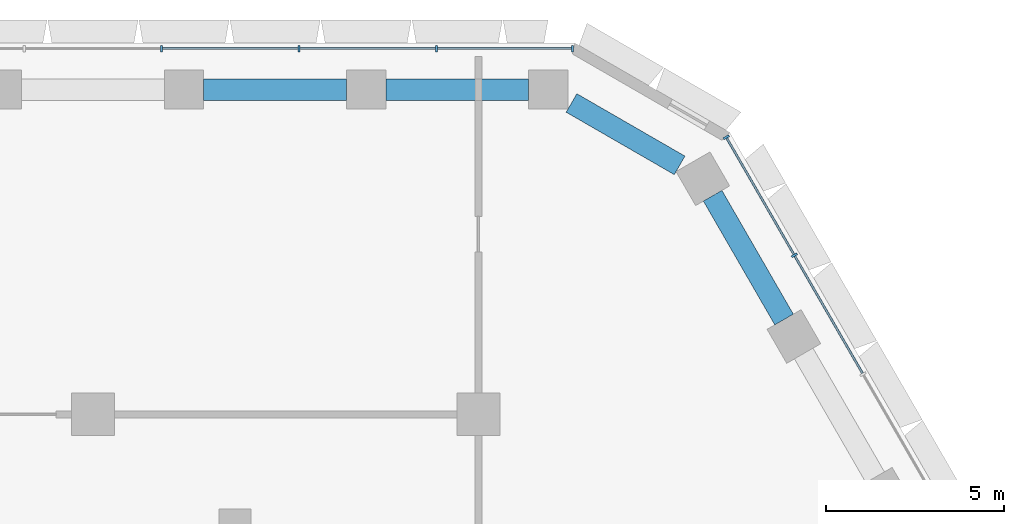
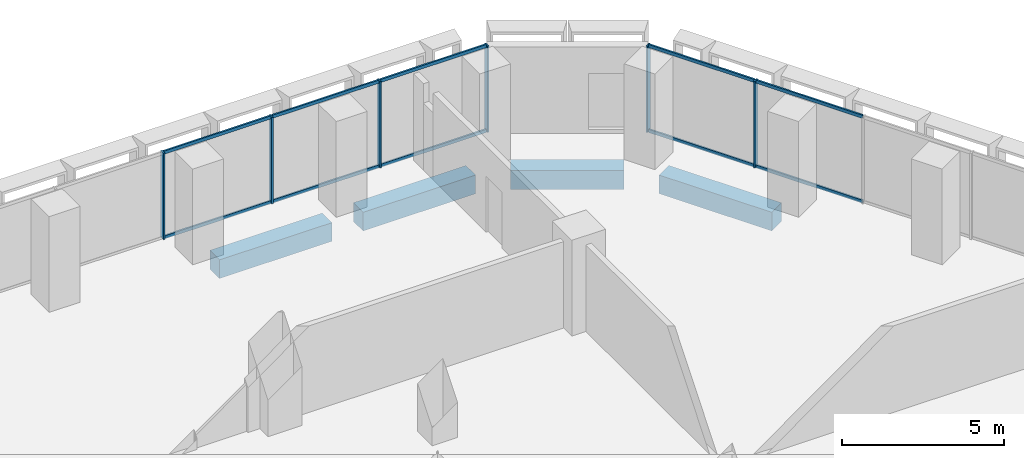
# One storey, part 9 of 22: 16 members, 4 beams, 2 elements without a shape of their own.
"""IFC4 building model written with IfcOpenShell, lengths in metres."""

from ifc_helpers import new_model, si_unit, direction, frame, origin, origin_2d, place, context, subcontext, project, spatial, rectangle, hollow_rectangle, extrude, material, material_profile, profile_set, type_object, element, aggregate, save


model = new_model("IFC4")

# Units and contexts
model_context = context("Model", 3, precision=1e-05, world=origin(), true_north=direction((0.0, 1.0)))
body_context = subcontext(model_context, "Body", "Model", "MODEL_VIEW")
ifc_project = project(units=[si_unit("LENGTHUNIT", "METRE"), si_unit("AREAUNIT", "SQUARE_METRE"), si_unit("VOLUMEUNIT", "CUBIC_METRE"), si_unit("PLANEANGLEUNIT", "RADIAN"), si_unit("MASSUNIT", "GRAM", prefix="KILO")], contexts=[model_context])

# Site, building, storey
site_placement = place(None, origin())
site = spatial("IfcSite", under=ifc_project, at=site_placement, CompositionType="ELEMENT")
building_placement = place(site_placement, origin())
building = spatial("IfcBuilding", under=site, at=building_placement, Name="Beryl Residences", CompositionType="ELEMENT")
storey_placement = place(building_placement, frame((0.0, 0.0, 12.60009765625)))
storey = spatial("IfcBuildingStorey", under=building, at=storey_placement, Name="L03", CompositionType="ELEMENT", Elevation=12.60009765625)

# Curtain wall, members
ifc_material_1 = material(Name="Aluminium and clear glass", Category="aluminium")
curtain_wall_type = type_object("IfcCurtainWallType", Name="CW2 amenity glazing glazed wall", PredefinedType="NOTDEFINED", material=ifc_material_1)
curtain_wall_1_placement = place(storey_placement, origin())
curtain_wall_1 = element("IfcCurtainWall", 1, at=curtain_wall_1_placement, inside=storey, type_object=curtain_wall_type, Name="CW2 L03 N", PredefinedType="NOTDEFINED")
ifc_material_2 = material(Name="Aluminium", Category="aluminium")
ifc_material_profile_1 = material_profile(ifc_material_2, rectangle(XDim=0.06005859375, YDim=0.179931640625, at=origin_2d()))
ifc_profile_set_1 = profile_set([ifc_material_profile_1], Name="Aluminium")
member_type_1 = type_object("IfcMemberType", Name="CW2-M mullion 60 x 180 mm", PredefinedType="MULLION", material=ifc_profile_set_1)
member_1_placement = place(storey_placement, frame((13.43994140625, 28.25, 0.0), z_axis=(0.0, 0.0, 1.0), x_axis=(-1.0, 0.0, 0.0)))
member_1 = element("IfcMember", 2, at=member_1_placement, type_object=member_type_1, Name="CW2 mullion 1", PredefinedType="MULLION", context=body_context, shape_type="SweptSolid", body=[
    extrude(rectangle(XDim=0.06005859375, YDim=0.179931640625, at=origin_2d()), origin(), (0.0, 0.0, 1.0), 3.25),
])
member_2_placement = place(storey_placement, frame((9.621337890625, 28.25, 0.0), z_axis=(0.0, 0.0, 1.0), x_axis=(-1.0, 0.0, 0.0)))
member_2 = element("IfcMember", 3, at=member_2_placement, type_object=member_type_1, Name="CW2 mullion 2", PredefinedType="MULLION", context=body_context, shape_type="SweptSolid", body=[
    extrude(rectangle(XDim=0.06005859375, YDim=0.179931640625, at=origin_2d()), origin(), (0.0, 0.0, 1.0), 3.25),
])
member_3_placement = place(storey_placement, frame((5.77294921875, 28.25, 0.0), z_axis=(0.0, 0.0, 1.0), x_axis=(-1.0, 0.0, 0.0)))
member_3 = element("IfcMember", 4, at=member_3_placement, type_object=member_type_1, Name="CW2 mullion 3", PredefinedType="MULLION", context=body_context, shape_type="SweptSolid", body=[
    extrude(rectangle(XDim=0.06005859375, YDim=0.179931640625, at=origin_2d()), origin(), (0.0, 0.0, 1.0), 3.25),
])
member_4_placement = place(storey_placement, frame((1.92431640625, 28.25, 0.0), z_axis=(0.0, 0.0, 1.0), x_axis=(-1.0, 0.0, 0.0)))
member_4 = element("IfcMember", 5, at=member_4_placement, type_object=member_type_1, Name="CW2 mullion 4", PredefinedType="MULLION", context=body_context, shape_type="SweptSolid", body=[
    extrude(rectangle(XDim=0.06005859375, YDim=0.179931640625, at=origin_2d()), origin(), (0.0, 0.0, 1.0), 3.25),
])

curtain_wall_2_placement = place(storey_placement, origin())
curtain_wall_2 = element("IfcCurtainWall", 6, at=curtain_wall_2_placement, inside=storey, type_object=curtain_wall_type, Name="CW2 L03 NE", PredefinedType="NOTDEFINED")
member_5_placement = place(storey_placement, frame((19.654296875, 22.45703125, 0.0), z_axis=(0.0, 0.0, 1.0), x_axis=(-0.500011643322, 0.866018681405, 0.0)))
member_5 = element("IfcMember", 7, at=member_5_placement, type_object=member_type_1, Name="CW2 mullion 7", PredefinedType="MULLION", context=body_context, shape_type="SweptSolid", body=[
    extrude(rectangle(XDim=0.06005859375, YDim=0.179931640625, at=origin_2d()), origin(), (0.0, 0.0, 1.0), 3.25),
])
member_6_placement = place(storey_placement, frame((17.7451171875, 25.763916015625, 0.0), z_axis=(0.0, 0.0, 1.0), x_axis=(-0.500011643322, 0.866018681405, 0.0)))
member_6 = element("IfcMember", 8, at=member_6_placement, type_object=member_type_1, Name="CW2 mullion 8", PredefinedType="MULLION", context=body_context, shape_type="SweptSolid", body=[
    extrude(rectangle(XDim=0.06005859375, YDim=0.179931640625, at=origin_2d()), origin(), (0.0, 0.0, 1.0), 3.25),
])

# Member
ifc_material_3 = material(Name="Aluminium", Category="aluminium")
ifc_material_profile_2 = material_profile(ifc_material_3, hollow_rectangle(XDim=0.06005859375, YDim=0.1201171875, WallThickness=0.00390625, at=origin_2d()))
ifc_profile_set_2 = profile_set([ifc_material_profile_2], Name="Aluminium")
member_type_2 = type_object("IfcMemberType", Name="CW2-T transom 60 x 120 mm", PredefinedType="USERDEFINED", material=ifc_profile_set_2)
member_7_placement = place(storey_placement, frame((13.409912109375, 28.25, 0.02978515625), z_axis=(-1.0, 0.0, 0.0), x_axis=(0.0, -1.0, 0.0)))
member_7 = element("IfcMember", 9, at=member_7_placement, type_object=member_type_2, Name="CW2 transom 1.1", ObjectType="TRANSOM", PredefinedType="USERDEFINED", context=body_context, shape_type="SweptSolid", body=[
    extrude(hollow_rectangle(XDim=0.06005859375, YDim=0.1201171875, WallThickness=0.00390625, at=origin_2d()), origin(), (0.0, 0.0, 1.0), 3.758544921875),
])

member_8_placement = place(storey_placement, frame((13.409912109375, 28.25, 3.219970703125), z_axis=(-1.0, 0.0, 0.0), x_axis=(0.0, -1.0, 0.0)))
member_8 = element("IfcMember", 10, at=member_8_placement, type_object=member_type_2, Name="CW2 transom 1.2", ObjectType="TRANSOM", PredefinedType="USERDEFINED", context=body_context, shape_type="SweptSolid", body=[
    extrude(hollow_rectangle(XDim=0.06005859375, YDim=0.1201171875, WallThickness=0.00390625, at=origin_2d()), origin(), (0.0, 0.0, 1.0), 3.758544921875),
])

member_9_placement = place(storey_placement, frame((9.59130859375, 28.25, 0.02978515625), z_axis=(-1.0, 0.0, 0.0), x_axis=(0.0, -1.0, 0.0)))
member_9 = element("IfcMember", 11, at=member_9_placement, type_object=member_type_2, Name="CW2 transom 2.1", ObjectType="TRANSOM", PredefinedType="USERDEFINED", context=body_context, shape_type="SweptSolid", body=[
    extrude(hollow_rectangle(XDim=0.06005859375, YDim=0.1201171875, WallThickness=0.00390625, at=origin_2d()), origin(), (0.0, 0.0, 1.0), 3.788330078125),
])

member_10_placement = place(storey_placement, frame((9.59130859375, 28.25, 3.219970703125), z_axis=(-1.0, 0.0, 0.0), x_axis=(0.0, -1.0, 0.0)))
member_10 = element("IfcMember", 12, at=member_10_placement, type_object=member_type_2, Name="CW2 transom 2.2", ObjectType="TRANSOM", PredefinedType="USERDEFINED", context=body_context, shape_type="SweptSolid", body=[
    extrude(hollow_rectangle(XDim=0.06005859375, YDim=0.1201171875, WallThickness=0.00390625, at=origin_2d()), origin(), (0.0, 0.0, 1.0), 3.788330078125),
])

member_11_placement = place(storey_placement, frame((5.742919921875, 28.25, 0.02978515625), z_axis=(-1.0, 0.0, 0.0), x_axis=(0.0, -1.0, 0.0)))
member_11 = element("IfcMember", 13, at=member_11_placement, type_object=member_type_2, Name="CW2 transom 3.1", ObjectType="TRANSOM", PredefinedType="USERDEFINED", context=body_context, shape_type="SweptSolid", body=[
    extrude(hollow_rectangle(XDim=0.06005859375, YDim=0.1201171875, WallThickness=0.00390625, at=origin_2d()), origin(), (0.0, 0.0, 1.0), 3.78857421875),
])

member_12_placement = place(storey_placement, frame((5.742919921875, 28.25, 3.219970703125), z_axis=(-1.0, 0.0, 0.0), x_axis=(0.0, -1.0, 0.0)))
member_12 = element("IfcMember", 14, at=member_12_placement, type_object=member_type_2, Name="CW2 transom 3.2", ObjectType="TRANSOM", PredefinedType="USERDEFINED", context=body_context, shape_type="SweptSolid", body=[
    extrude(hollow_rectangle(XDim=0.06005859375, YDim=0.1201171875, WallThickness=0.00390625, at=origin_2d()), origin(), (0.0, 0.0, 1.0), 3.78857421875),
])

aggregate(curtain_wall_1, [member_1, member_2, member_3, member_4, member_7, member_8, member_9, member_10, member_11, member_12])

member_13_placement = place(storey_placement, frame((21.5634765625, 19.150146484375, 0.02978515625), z_axis=(-0.499999503755, 0.866025690291, 0.0), x_axis=(-0.866025690291, -0.499999503755, 0.0)))
member_13 = element("IfcMember", 15, at=member_13_placement, type_object=member_type_2, Name="CW2 transom 6.1", ObjectType="TRANSOM", PredefinedType="USERDEFINED", context=body_context, shape_type="SweptSolid", body=[
    extrude(hollow_rectangle(XDim=0.06005859375, YDim=0.1201171875, WallThickness=0.00390625, at=origin_2d()), origin(), (0.0, 0.0, 1.0), 3.78857421875),
])

member_14_placement = place(storey_placement, frame((21.5634765625, 19.150146484375, 3.219970703125), z_axis=(-0.499999503755, 0.866025690291, 0.0), x_axis=(-0.866025690291, -0.499999503755, 0.0)))
member_14 = element("IfcMember", 16, at=member_14_placement, type_object=member_type_2, Name="CW2 transom 6.2", ObjectType="TRANSOM", PredefinedType="USERDEFINED", context=body_context, shape_type="SweptSolid", body=[
    extrude(hollow_rectangle(XDim=0.06005859375, YDim=0.1201171875, WallThickness=0.00390625, at=origin_2d()), origin(), (0.0, 0.0, 1.0), 3.78857421875),
])

member_15_placement = place(storey_placement, frame((19.639404296875, 22.483154296875, 0.02978515625), z_axis=(-0.500037327496, 0.866003851672, 0.0), x_axis=(-0.866003851672, -0.500037327496, 0.0)))
member_15 = element("IfcMember", 17, at=member_15_placement, type_object=member_type_2, Name="CW2 transom 7.1", ObjectType="TRANSOM", PredefinedType="USERDEFINED", context=body_context, shape_type="SweptSolid", body=[
    extrude(hollow_rectangle(XDim=0.06005859375, YDim=0.1201171875, WallThickness=0.00390625, at=origin_2d()), origin(), (0.0, 0.0, 1.0), 3.758544921875),
])

member_16_placement = place(storey_placement, frame((19.639404296875, 22.483154296875, 3.219970703125), z_axis=(-0.500037327496, 0.866003851672, 0.0), x_axis=(-0.866003851672, -0.500037327496, 0.0)))
member_16 = element("IfcMember", 18, at=member_16_placement, type_object=member_type_2, Name="CW2 transom 7.2", ObjectType="TRANSOM", PredefinedType="USERDEFINED", context=body_context, shape_type="SweptSolid", body=[
    extrude(hollow_rectangle(XDim=0.06005859375, YDim=0.1201171875, WallThickness=0.00390625, at=origin_2d()), origin(), (0.0, 0.0, 1.0), 3.758544921875),
])

aggregate(curtain_wall_2, [member_5, member_6, member_13, member_14, member_15, member_16])

# Beams
ifc_material_4 = material(Name="Concrete C80/95", Category="concrete")
ifc_material_profile_3 = material_profile(ifc_material_4, rectangle(XDim=0.60009765625, YDim=0.699951171875, at=origin_2d()))
ifc_profile_set_3 = profile_set([ifc_material_profile_3], Name="Concrete C80/95")
beam_type = type_object("IfcBeamType", Name="SB1 spandrel beam 600 x 700 C80/95", PredefinedType="SPANDREL", material=ifc_profile_set_3)
for number, where, z_axis, x_axis, name in (
    (19, (12.208984375, 27.10009765625, -0.7001953125), (-1.0, 0.0, 0.0), (0.0, -1.0, 0.0), "SB1 L03 N-0"),
    (20, (7.10498046875, 27.10009765625, -0.7001953125), (-1.0, 0.0, 0.0), (0.0, -1.0, 0.0), "SB1 L03 N-1"),
):
    element("IfcBeam", number, at=place(storey_placement, frame(where, z_axis=z_axis, x_axis=x_axis)), inside=storey, type_object=beam_type, Name=name, PredefinedType="SPANDREL", context=body_context, shape_type="SweptSolid", body=[
        extrude(rectangle(XDim=0.60009765625, YDim=0.699951171875, at=origin_2d()), origin(), (0.0, 0.0, 1.0), 4.00390625),
    ])
beam_1_placement = place(storey_placement, frame((19.365966796875, 20.656982421875, -0.7001953125), z_axis=(-0.499942357345, 0.866058681229, 0.0), x_axis=(-0.866058681229, -0.499942357345, 0.0)))
element("IfcBeam", 21, at=beam_1_placement, inside=storey, type_object=beam_type, Name="SB1 L03 NE-4", PredefinedType="SPANDREL", context=body_context, shape_type="SweptSolid", body=[
    extrude(rectangle(XDim=0.60009765625, YDim=0.699951171875, at=origin_2d()), origin(), (0.0, 0.0, 1.0), 4.00439453125),
])
beam_2_placement = place(storey_placement, frame((16.43896484375, 24.97607421875, -0.7001953125), z_axis=(-0.866070549782, 0.499921796684, 0.0), x_axis=(-0.499921796684, -0.866070549782, 0.0)))
element("IfcBeam", 22, at=beam_2_placement, inside=storey, type_object=beam_type, Name="SB1 L03 NE-5", PredefinedType="SPANDREL", context=body_context, shape_type="SweptSolid", body=[
    extrude(rectangle(XDim=0.60009765625, YDim=0.699951171875, at=origin_2d()), origin(), (0.0, 0.0, 1.0), 3.49853515625),
])

save(model, "model.ifc")
